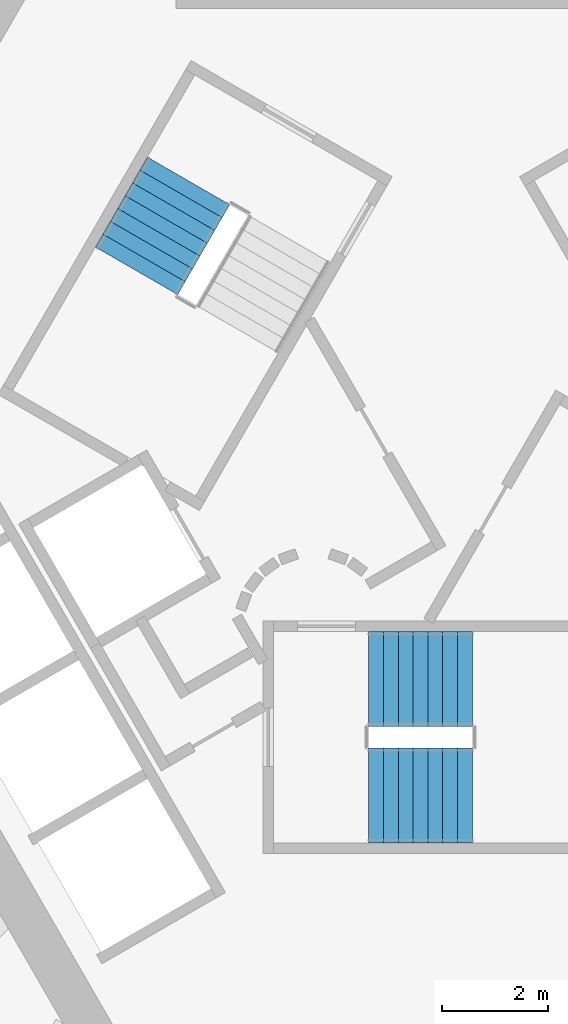
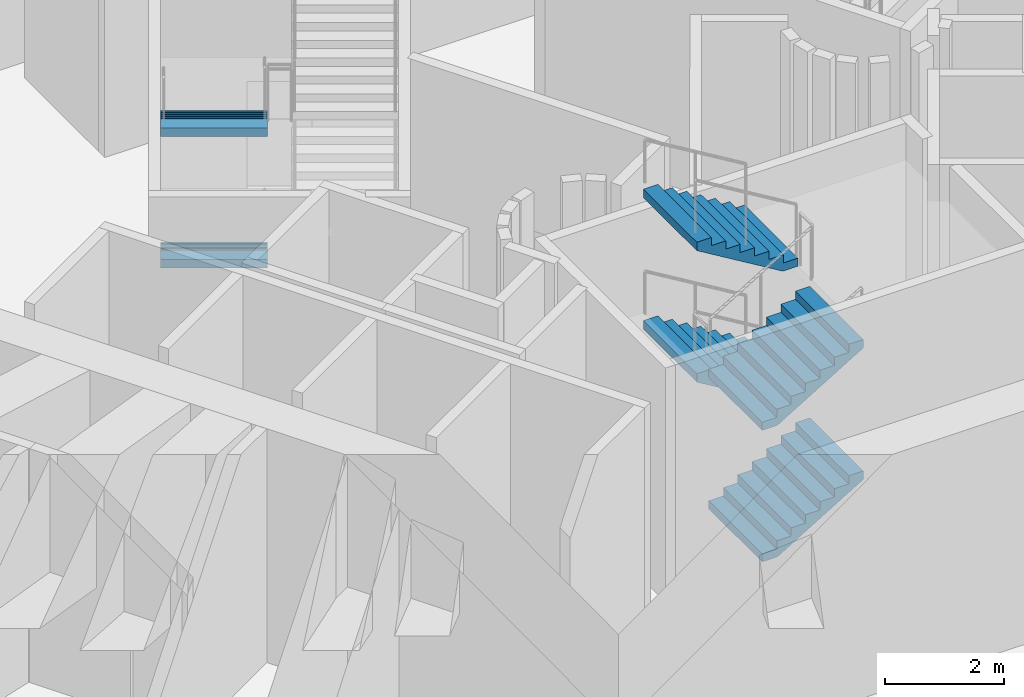
# One storey, part 14 of 22: 6 stair flights, 2 elements without a shape of their own.
"""IFC4 building model written with IfcOpenShell, lengths in metres."""

from ifc_helpers import new_model, si_unit, direction, frame, origin, place, context, subcontext, project, spatial, triangles, material, type_object, element, aggregate, save


model = new_model("IFC4")

# Units and contexts
model_context = context("Model", 3, precision=1e-05, world=origin(), true_north=direction((0.0, 1.0)))
body_context = subcontext(model_context, "Body", "Model", "MODEL_VIEW")
ifc_project = project(units=[si_unit("LENGTHUNIT", "METRE"), si_unit("AREAUNIT", "SQUARE_METRE"), si_unit("VOLUMEUNIT", "CUBIC_METRE"), si_unit("PLANEANGLEUNIT", "RADIAN"), si_unit("MASSUNIT", "GRAM", prefix="KILO")], contexts=[model_context])

# Site, building, storey
site_placement = place(None, origin())
site = spatial("IfcSite", under=ifc_project, at=site_placement, CompositionType="ELEMENT")
building_placement = place(site_placement, origin())
building = spatial("IfcBuilding", under=site, at=building_placement, Name="Entoto Arch Interchange Tower", CompositionType="ELEMENT")
storey_placement = place(building_placement, frame((0.0, 0.0, 132.800048828125)))
storey = spatial("IfcBuildingStorey", under=building, at=storey_placement, Name="L29", CompositionType="ELEMENT", Elevation=132.800048828125)

# Stair, stair flights
ifc_material = material(Name="Concrete C40/50", Category="concrete")
stair_type = type_object("IfcStairType", Name="EXIT STAIR RC 1800", PredefinedType="HALF_TURN_STAIR", material=ifc_material)
stair_1_placement = place(storey_placement, origin())
stair_1 = element("IfcStair", 1, at=stair_1_placement, inside=storey, type_object=stair_type, Name="L29 Exit stair S", PredefinedType="HALF_TURN_STAIR")
stair_flight_type = type_object("IfcStairFlightType", Name="EXIT STAIR FLIGHT RC 1800", PredefinedType="STRAIGHT", material=ifc_material)
stair_flight_1_placement = place(storey_placement, frame((-1.64990234375, -4.300048828125, 0.0), z_axis=(0.0, 0.0, 1.0), x_axis=(1.0, 0.0, 0.0)))
stair_flight_1 = element("IfcStairFlight", 2, at=stair_flight_1_placement, type_object=stair_flight_type, Name="ST-S flight 1", NumberOfRisers=8, NumberOfTreads=7, PredefinedType="STRAIGHT", RiserHeight=0.16875, TreadLength=0.28, context=body_context, shape_type="Tessellation", body=[
    triangles([(-0.003, -0.900024, 0.0), (-0.003, -0.900024, 0.16875), (0.28, -0.900024, 0.16875), (0.28, -0.900024, 0.3375), (0.56, -0.900024, 0.3375), (0.56, -0.900024, 0.50625), (0.84, -0.900024, 0.50625), (0.84, -0.900024, 0.675), (1.12, -0.900024, 0.675), (1.12, -0.900024, 0.84375), (1.4, -0.900024, 0.84375), (1.4, -0.900024, 1.0125), (1.68, -0.900024, 1.0125), (1.68, -0.900024, 1.18125), (1.96, -0.900024, 1.18125), (1.963, -0.900024, 1.18125), (1.963, -0.900024, 1.008036), (0.290406, -0.900024, 0.0), (-0.003, 0.900024, 0.0), (-0.003, 0.900024, 0.16875), (0.28, 0.900024, 0.16875), (0.28, 0.900024, 0.3375), (0.56, 0.900024, 0.3375), (0.56, 0.900024, 0.50625), (0.84, 0.900024, 0.50625), (0.84, 0.900024, 0.675), (1.12, 0.900024, 0.675), (1.12, 0.900024, 0.84375), (1.4, 0.900024, 0.84375), (1.4, 0.900024, 1.0125), (1.68, 0.900024, 1.0125), (1.68, 0.900024, 1.18125), (1.96, 0.900024, 1.18125), (1.963, 0.900024, 1.18125), (1.963, 0.900024, 1.008036), (0.290406, 0.900024, 0.0), (-0.003, -0.450012, 0.0), (-0.003, -0.450012, 0.16875), (-0.003, 0.0, 0.0), (-0.003, 0.0, 0.16875), (-0.003, 0.450012, 0.0), (-0.003, 0.450012, 0.16875), (0.28, -0.450012, 0.16875), (0.28, 0.0, 0.16875), (0.28, 0.450012, 0.16875), (0.28, -0.450012, 0.3375), (0.28, 0.0, 0.3375), (0.28, 0.450012, 0.3375), (0.56, -0.450012, 0.3375), (0.56, 0.0, 0.3375), (0.56, 0.450012, 0.3375), (0.56, -0.450012, 0.50625), (0.56, 0.0, 0.50625), (0.56, 0.450012, 0.50625), (0.84, -0.450012, 0.50625), (0.84, 0.0, 0.50625), (0.84, 0.450012, 0.50625), (0.84, -0.450012, 0.675), (0.84, 0.0, 0.675), (0.84, 0.450012, 0.675), (1.12, -0.450012, 0.675), (1.12, 0.0, 0.675), (1.12, 0.450012, 0.675), (1.12, -0.450012, 0.84375), (1.12, 0.0, 0.84375), (1.12, 0.450012, 0.84375), (1.4, -0.450012, 0.84375), (1.4, 0.0, 0.84375), (1.4, 0.450012, 0.84375), (1.4, -0.450012, 1.0125), (1.4, 0.0, 1.0125), (1.4, 0.450012, 1.0125), (1.68, -0.450012, 1.0125), (1.68, 0.0, 1.0125), (1.68, 0.450012, 1.0125), (1.68, -0.450012, 1.18125), (1.68, 0.0, 1.18125), (1.68, 0.450012, 1.18125), (1.96, -0.450012, 1.18125), (1.96, 0.0, 1.18125), (1.96, 0.450012, 1.18125), (1.963, -0.450012, 1.18125), (1.963, 0.0, 1.18125), (1.963, 0.450012, 1.18125), (1.963, -0.450012, 1.008036), (1.963, 0.0, 1.008036), (1.963, 0.450012, 1.008036), (0.290406, -0.450012, 0.0), (0.290406, 0.0, 0.0), (0.290406, 0.450012, 0.0)], [[1, 18, 17], [17, 16, 15], [17, 15, 14], [17, 14, 13], [17, 13, 12], [17, 12, 11], [11, 10, 9], [17, 11, 9], [9, 8, 7], [17, 9, 7], [7, 6, 5], [17, 7, 5], [5, 4, 3], [17, 5, 3], [1, 17, 3], [3, 2, 1], [19, 35, 36], [35, 33, 34], [35, 32, 33], [35, 31, 32], [35, 30, 31], [35, 29, 30], [29, 27, 28], [35, 27, 29], [27, 25, 26], [35, 25, 27], [25, 23, 24], [35, 23, 25], [23, 21, 22], [35, 21, 23], [19, 21, 35], [21, 19, 20], [1, 2, 38], [1, 38, 37], [37, 38, 40], [37, 40, 39], [39, 40, 42], [39, 42, 41], [41, 42, 20], [41, 20, 19], [2, 3, 43], [2, 43, 38], [38, 43, 44], [38, 44, 40], [40, 44, 45], [40, 45, 42], [42, 45, 21], [42, 21, 20], [3, 4, 46], [3, 46, 43], [43, 46, 47], [43, 47, 44], [44, 47, 48], [44, 48, 45], [45, 48, 22], [45, 22, 21], [4, 5, 49], [4, 49, 46], [46, 49, 50], [46, 50, 47], [47, 50, 51], [47, 51, 48], [48, 51, 23], [48, 23, 22], [5, 6, 52], [5, 52, 49], [49, 52, 53], [49, 53, 50], [50, 53, 54], [50, 54, 51], [51, 54, 24], [51, 24, 23], [6, 7, 55], [6, 55, 52], [52, 55, 56], [52, 56, 53], [53, 56, 57], [53, 57, 54], [54, 57, 25], [54, 25, 24], [7, 8, 58], [7, 58, 55], [55, 58, 59], [55, 59, 56], [56, 59, 60], [56, 60, 57], [57, 60, 26], [57, 26, 25], [8, 9, 61], [8, 61, 58], [58, 61, 62], [58, 62, 59], [59, 62, 63], [59, 63, 60], [60, 63, 27], [60, 27, 26], [9, 10, 64], [9, 64, 61], [61, 64, 65], [61, 65, 62], [62, 65, 66], [62, 66, 63], [63, 66, 28], [63, 28, 27], [10, 11, 67], [10, 67, 64], [64, 67, 68], [64, 68, 65], [65, 68, 69], [65, 69, 66], [66, 69, 29], [66, 29, 28], [11, 12, 70], [11, 70, 67], [67, 70, 71], [67, 71, 68], [68, 71, 72], [68, 72, 69], [69, 72, 30], [69, 30, 29], [12, 13, 73], [12, 73, 70], [70, 73, 74], [70, 74, 71], [71, 74, 75], [71, 75, 72], [72, 75, 31], [72, 31, 30], [13, 14, 76], [13, 76, 73], [73, 76, 77], [73, 77, 74], [74, 77, 78], [74, 78, 75], [75, 78, 32], [75, 32, 31], [14, 15, 79], [14, 79, 76], [76, 79, 80], [76, 80, 77], [77, 80, 81], [77, 81, 78], [78, 81, 33], [78, 33, 32], [15, 16, 82], [15, 82, 79], [79, 82, 83], [79, 83, 80], [80, 83, 84], [80, 84, 81], [81, 84, 34], [81, 34, 33], [16, 17, 85], [16, 85, 82], [82, 85, 86], [82, 86, 83], [83, 86, 87], [83, 87, 84], [84, 87, 35], [84, 35, 34], [17, 18, 88], [17, 88, 85], [85, 88, 89], [85, 89, 86], [86, 89, 90], [86, 90, 87], [87, 90, 36], [87, 36, 35], [18, 1, 37], [18, 37, 88], [88, 37, 39], [88, 39, 89], [89, 39, 41], [89, 41, 90], [90, 41, 19], [90, 19, 36]], closed=True),
])
stair_flight_2_placement = place(storey_placement, frame((0.31005859375, -2.10009765625, 1.349853515625), z_axis=(0.0, 0.0, 1.0), x_axis=(-1.0, 0.0, 0.0)))
stair_flight_2 = element("IfcStairFlight", 3, at=stair_flight_2_placement, type_object=stair_flight_type, Name="ST-S flight 2", NumberOfRisers=8, NumberOfTreads=7, PredefinedType="STRAIGHT", RiserHeight=0.16875, TreadLength=0.28, context=body_context, shape_type="Tessellation", body=[
    triangles([(-0.003, -0.900024, 0.0), (-0.003, -0.900024, 0.16875), (0.28, -0.900024, 0.16875), (0.28, -0.900024, 0.3375), (0.56, -0.900024, 0.3375), (0.56, -0.900024, 0.50625), (0.84, -0.900024, 0.50625), (0.84, -0.900024, 0.675), (1.12, -0.900024, 0.675), (1.12, -0.900024, 0.84375), (1.4, -0.900024, 0.84375), (1.4, -0.900024, 1.0125), (1.68, -0.900024, 1.0125), (1.68, -0.900024, 1.18125), (1.96, -0.900024, 1.18125), (1.963, -0.900024, 1.18125), (1.963, -0.900024, 1.008036), (0.290406, -0.900024, 0.0), (-0.003, 0.900024, 0.0), (-0.003, 0.900024, 0.16875), (0.28, 0.900024, 0.16875), (0.28, 0.900024, 0.3375), (0.56, 0.900024, 0.3375), (0.56, 0.900024, 0.50625), (0.84, 0.900024, 0.50625), (0.84, 0.900024, 0.675), (1.12, 0.900024, 0.675), (1.12, 0.900024, 0.84375), (1.4, 0.900024, 0.84375), (1.4, 0.900024, 1.0125), (1.68, 0.900024, 1.0125), (1.68, 0.900024, 1.18125), (1.96, 0.900024, 1.18125), (1.963, 0.900024, 1.18125), (1.963, 0.900024, 1.008036), (0.290406, 0.900024, 0.0), (-0.003, -0.450012, 0.0), (-0.003, -0.450012, 0.16875), (-0.003, 0.0, 0.0), (-0.003, 0.0, 0.16875), (-0.003, 0.450012, 0.0), (-0.003, 0.450012, 0.16875), (0.28, -0.450012, 0.16875), (0.28, 0.0, 0.16875), (0.28, 0.450012, 0.16875), (0.28, -0.450012, 0.3375), (0.28, 0.0, 0.3375), (0.28, 0.450012, 0.3375), (0.56, -0.450012, 0.3375), (0.56, 0.0, 0.3375), (0.56, 0.450012, 0.3375), (0.56, -0.450012, 0.50625), (0.56, 0.0, 0.50625), (0.56, 0.450012, 0.50625), (0.84, -0.450012, 0.50625), (0.84, 0.0, 0.50625), (0.84, 0.450012, 0.50625), (0.84, -0.450012, 0.675), (0.84, 0.0, 0.675), (0.84, 0.450012, 0.675), (1.12, -0.450012, 0.675), (1.12, 0.0, 0.675), (1.12, 0.450012, 0.675), (1.12, -0.450012, 0.84375), (1.12, 0.0, 0.84375), (1.12, 0.450012, 0.84375), (1.4, -0.450012, 0.84375), (1.4, 0.0, 0.84375), (1.4, 0.450012, 0.84375), (1.4, -0.450012, 1.0125), (1.4, 0.0, 1.0125), (1.4, 0.450012, 1.0125), (1.68, -0.450012, 1.0125), (1.68, 0.0, 1.0125), (1.68, 0.450012, 1.0125), (1.68, -0.450012, 1.18125), (1.68, 0.0, 1.18125), (1.68, 0.450012, 1.18125), (1.96, -0.450012, 1.18125), (1.96, 0.0, 1.18125), (1.96, 0.450012, 1.18125), (1.963, -0.450012, 1.18125), (1.963, 0.0, 1.18125), (1.963, 0.450012, 1.18125), (1.963, -0.450012, 1.008036), (1.963, 0.0, 1.008036), (1.963, 0.450012, 1.008036), (0.290406, -0.450012, 0.0), (0.290406, 0.0, 0.0), (0.290406, 0.450012, 0.0)], [[1, 18, 17], [17, 16, 15], [17, 15, 14], [17, 14, 13], [17, 13, 12], [17, 12, 11], [11, 10, 9], [17, 11, 9], [9, 8, 7], [17, 9, 7], [7, 6, 5], [17, 7, 5], [5, 4, 3], [17, 5, 3], [1, 17, 3], [3, 2, 1], [19, 35, 36], [35, 33, 34], [35, 32, 33], [35, 31, 32], [35, 30, 31], [35, 29, 30], [29, 27, 28], [35, 27, 29], [27, 25, 26], [35, 25, 27], [25, 23, 24], [35, 23, 25], [23, 21, 22], [35, 21, 23], [19, 21, 35], [21, 19, 20], [1, 2, 38], [1, 38, 37], [37, 38, 40], [37, 40, 39], [39, 40, 42], [39, 42, 41], [41, 42, 20], [41, 20, 19], [2, 3, 43], [2, 43, 38], [38, 43, 44], [38, 44, 40], [40, 44, 45], [40, 45, 42], [42, 45, 21], [42, 21, 20], [3, 4, 46], [3, 46, 43], [43, 46, 47], [43, 47, 44], [44, 47, 48], [44, 48, 45], [45, 48, 22], [45, 22, 21], [4, 5, 49], [4, 49, 46], [46, 49, 50], [46, 50, 47], [47, 50, 51], [47, 51, 48], [48, 51, 23], [48, 23, 22], [5, 6, 52], [5, 52, 49], [49, 52, 53], [49, 53, 50], [50, 53, 54], [50, 54, 51], [51, 54, 24], [51, 24, 23], [6, 7, 55], [6, 55, 52], [52, 55, 56], [52, 56, 53], [53, 56, 57], [53, 57, 54], [54, 57, 25], [54, 25, 24], [7, 8, 58], [7, 58, 55], [55, 58, 59], [55, 59, 56], [56, 59, 60], [56, 60, 57], [57, 60, 26], [57, 26, 25], [8, 9, 61], [8, 61, 58], [58, 61, 62], [58, 62, 59], [59, 62, 63], [59, 63, 60], [60, 63, 27], [60, 27, 26], [9, 10, 64], [9, 64, 61], [61, 64, 65], [61, 65, 62], [62, 65, 66], [62, 66, 63], [63, 66, 28], [63, 28, 27], [10, 11, 67], [10, 67, 64], [64, 67, 68], [64, 68, 65], [65, 68, 69], [65, 69, 66], [66, 69, 29], [66, 29, 28], [11, 12, 70], [11, 70, 67], [67, 70, 71], [67, 71, 68], [68, 71, 72], [68, 72, 69], [69, 72, 30], [69, 30, 29], [12, 13, 73], [12, 73, 70], [70, 73, 74], [70, 74, 71], [71, 74, 75], [71, 75, 72], [72, 75, 31], [72, 31, 30], [13, 14, 76], [13, 76, 73], [73, 76, 77], [73, 77, 74], [74, 77, 78], [74, 78, 75], [75, 78, 32], [75, 32, 31], [14, 15, 79], [14, 79, 76], [76, 79, 80], [76, 80, 77], [77, 80, 81], [77, 81, 78], [78, 81, 33], [78, 33, 32], [15, 16, 82], [15, 82, 79], [79, 82, 83], [79, 83, 80], [80, 83, 84], [80, 84, 81], [81, 84, 34], [81, 34, 33], [16, 17, 85], [16, 85, 82], [82, 85, 86], [82, 86, 83], [83, 86, 87], [83, 87, 84], [84, 87, 35], [84, 35, 34], [17, 18, 88], [17, 88, 85], [85, 88, 89], [85, 89, 86], [86, 89, 90], [86, 90, 87], [87, 90, 36], [87, 36, 35], [18, 1, 37], [18, 37, 88], [88, 37, 39], [88, 39, 89], [89, 39, 41], [89, 41, 90], [90, 41, 19], [90, 19, 36]], closed=True),
])
stair_flight_3_placement = place(storey_placement, frame((-1.64990234375, -4.300048828125, 2.699951171875), z_axis=(0.0, 0.0, 1.0), x_axis=(1.0, 0.0, 0.0)))
stair_flight_3 = element("IfcStairFlight", 4, at=stair_flight_3_placement, type_object=stair_flight_type, Name="ST-S flight 3", NumberOfRisers=8, NumberOfTreads=7, PredefinedType="STRAIGHT", RiserHeight=0.16875, TreadLength=0.28, context=body_context, shape_type="Tessellation", body=[
    triangles([(-0.003, -0.900024, 0.0), (-0.003, -0.900024, 0.16875), (0.28, -0.900024, 0.16875), (0.28, -0.900024, 0.3375), (0.56, -0.900024, 0.3375), (0.56, -0.900024, 0.50625), (0.84, -0.900024, 0.50625), (0.84, -0.900024, 0.675), (1.12, -0.900024, 0.675), (1.12, -0.900024, 0.84375), (1.4, -0.900024, 0.84375), (1.4, -0.900024, 1.0125), (1.68, -0.900024, 1.0125), (1.68, -0.900024, 1.18125), (1.96, -0.900024, 1.18125), (1.963, -0.900024, 1.18125), (1.963, -0.900024, 1.008036), (0.290406, -0.900024, 0.0), (-0.003, 0.900024, 0.0), (-0.003, 0.900024, 0.16875), (0.28, 0.900024, 0.16875), (0.28, 0.900024, 0.3375), (0.56, 0.900024, 0.3375), (0.56, 0.900024, 0.50625), (0.84, 0.900024, 0.50625), (0.84, 0.900024, 0.675), (1.12, 0.900024, 0.675), (1.12, 0.900024, 0.84375), (1.4, 0.900024, 0.84375), (1.4, 0.900024, 1.0125), (1.68, 0.900024, 1.0125), (1.68, 0.900024, 1.18125), (1.96, 0.900024, 1.18125), (1.963, 0.900024, 1.18125), (1.963, 0.900024, 1.008036), (0.290406, 0.900024, 0.0), (-0.003, -0.450012, 0.0), (-0.003, -0.450012, 0.16875), (-0.003, 0.0, 0.0), (-0.003, 0.0, 0.16875), (-0.003, 0.450012, 0.0), (-0.003, 0.450012, 0.16875), (0.28, -0.450012, 0.16875), (0.28, 0.0, 0.16875), (0.28, 0.450012, 0.16875), (0.28, -0.450012, 0.3375), (0.28, 0.0, 0.3375), (0.28, 0.450012, 0.3375), (0.56, -0.450012, 0.3375), (0.56, 0.0, 0.3375), (0.56, 0.450012, 0.3375), (0.56, -0.450012, 0.50625), (0.56, 0.0, 0.50625), (0.56, 0.450012, 0.50625), (0.84, -0.450012, 0.50625), (0.84, 0.0, 0.50625), (0.84, 0.450012, 0.50625), (0.84, -0.450012, 0.675), (0.84, 0.0, 0.675), (0.84, 0.450012, 0.675), (1.12, -0.450012, 0.675), (1.12, 0.0, 0.675), (1.12, 0.450012, 0.675), (1.12, -0.450012, 0.84375), (1.12, 0.0, 0.84375), (1.12, 0.450012, 0.84375), (1.4, -0.450012, 0.84375), (1.4, 0.0, 0.84375), (1.4, 0.450012, 0.84375), (1.4, -0.450012, 1.0125), (1.4, 0.0, 1.0125), (1.4, 0.450012, 1.0125), (1.68, -0.450012, 1.0125), (1.68, 0.0, 1.0125), (1.68, 0.450012, 1.0125), (1.68, -0.450012, 1.18125), (1.68, 0.0, 1.18125), (1.68, 0.450012, 1.18125), (1.96, -0.450012, 1.18125), (1.96, 0.0, 1.18125), (1.96, 0.450012, 1.18125), (1.963, -0.450012, 1.18125), (1.963, 0.0, 1.18125), (1.963, 0.450012, 1.18125), (1.963, -0.450012, 1.008036), (1.963, 0.0, 1.008036), (1.963, 0.450012, 1.008036), (0.290406, -0.450012, 0.0), (0.290406, 0.0, 0.0), (0.290406, 0.450012, 0.0)], [[1, 18, 17], [17, 16, 15], [17, 15, 14], [17, 14, 13], [17, 13, 12], [17, 12, 11], [11, 10, 9], [17, 11, 9], [9, 8, 7], [17, 9, 7], [7, 6, 5], [17, 7, 5], [5, 4, 3], [17, 5, 3], [1, 17, 3], [3, 2, 1], [19, 35, 36], [35, 33, 34], [35, 32, 33], [35, 31, 32], [35, 30, 31], [35, 29, 30], [29, 27, 28], [35, 27, 29], [27, 25, 26], [35, 25, 27], [25, 23, 24], [35, 23, 25], [23, 21, 22], [35, 21, 23], [19, 21, 35], [21, 19, 20], [1, 2, 38], [1, 38, 37], [37, 38, 40], [37, 40, 39], [39, 40, 42], [39, 42, 41], [41, 42, 20], [41, 20, 19], [2, 3, 43], [2, 43, 38], [38, 43, 44], [38, 44, 40], [40, 44, 45], [40, 45, 42], [42, 45, 21], [42, 21, 20], [3, 4, 46], [3, 46, 43], [43, 46, 47], [43, 47, 44], [44, 47, 48], [44, 48, 45], [45, 48, 22], [45, 22, 21], [4, 5, 49], [4, 49, 46], [46, 49, 50], [46, 50, 47], [47, 50, 51], [47, 51, 48], [48, 51, 23], [48, 23, 22], [5, 6, 52], [5, 52, 49], [49, 52, 53], [49, 53, 50], [50, 53, 54], [50, 54, 51], [51, 54, 24], [51, 24, 23], [6, 7, 55], [6, 55, 52], [52, 55, 56], [52, 56, 53], [53, 56, 57], [53, 57, 54], [54, 57, 25], [54, 25, 24], [7, 8, 58], [7, 58, 55], [55, 58, 59], [55, 59, 56], [56, 59, 60], [56, 60, 57], [57, 60, 26], [57, 26, 25], [8, 9, 61], [8, 61, 58], [58, 61, 62], [58, 62, 59], [59, 62, 63], [59, 63, 60], [60, 63, 27], [60, 27, 26], [9, 10, 64], [9, 64, 61], [61, 64, 65], [61, 65, 62], [62, 65, 66], [62, 66, 63], [63, 66, 28], [63, 28, 27], [10, 11, 67], [10, 67, 64], [64, 67, 68], [64, 68, 65], [65, 68, 69], [65, 69, 66], [66, 69, 29], [66, 29, 28], [11, 12, 70], [11, 70, 67], [67, 70, 71], [67, 71, 68], [68, 71, 72], [68, 72, 69], [69, 72, 30], [69, 30, 29], [12, 13, 73], [12, 73, 70], [70, 73, 74], [70, 74, 71], [71, 74, 75], [71, 75, 72], [72, 75, 31], [72, 31, 30], [13, 14, 76], [13, 76, 73], [73, 76, 77], [73, 77, 74], [74, 77, 78], [74, 78, 75], [75, 78, 32], [75, 32, 31], [14, 15, 79], [14, 79, 76], [76, 79, 80], [76, 80, 77], [77, 80, 81], [77, 81, 78], [78, 81, 33], [78, 33, 32], [15, 16, 82], [15, 82, 79], [79, 82, 83], [79, 83, 80], [80, 83, 84], [80, 84, 81], [81, 84, 34], [81, 34, 33], [16, 17, 85], [16, 85, 82], [82, 85, 86], [82, 86, 83], [83, 86, 87], [83, 87, 84], [84, 87, 35], [84, 35, 34], [17, 18, 88], [17, 88, 85], [85, 88, 89], [85, 89, 86], [86, 89, 90], [86, 90, 87], [87, 90, 36], [87, 36, 35], [18, 1, 37], [18, 37, 88], [88, 37, 39], [88, 39, 89], [89, 39, 41], [89, 41, 90], [90, 41, 19], [90, 19, 36]], closed=True),
])
stair_flight_4_placement = place(storey_placement, frame((0.31005859375, -2.10009765625, 4.050048828125), z_axis=(0.0, 0.0, 1.0), x_axis=(-1.0, 0.0, 0.0)))
stair_flight_4 = element("IfcStairFlight", 5, at=stair_flight_4_placement, type_object=stair_flight_type, Name="ST-S flight 4", NumberOfRisers=8, NumberOfTreads=7, PredefinedType="STRAIGHT", RiserHeight=0.16875, TreadLength=0.28, context=body_context, shape_type="Tessellation", body=[
    triangles([(-0.003, -0.900024, 0.0), (-0.003, -0.900024, 0.16875), (0.28, -0.900024, 0.16875), (0.28, -0.900024, 0.3375), (0.56, -0.900024, 0.3375), (0.56, -0.900024, 0.50625), (0.84, -0.900024, 0.50625), (0.84, -0.900024, 0.675), (1.12, -0.900024, 0.675), (1.12, -0.900024, 0.84375), (1.4, -0.900024, 0.84375), (1.4, -0.900024, 1.0125), (1.68, -0.900024, 1.0125), (1.68, -0.900024, 1.18125), (1.96, -0.900024, 1.18125), (1.963, -0.900024, 1.18125), (1.963, -0.900024, 1.008036), (0.290406, -0.900024, 0.0), (-0.003, 0.900024, 0.0), (-0.003, 0.900024, 0.16875), (0.28, 0.900024, 0.16875), (0.28, 0.900024, 0.3375), (0.56, 0.900024, 0.3375), (0.56, 0.900024, 0.50625), (0.84, 0.900024, 0.50625), (0.84, 0.900024, 0.675), (1.12, 0.900024, 0.675), (1.12, 0.900024, 0.84375), (1.4, 0.900024, 0.84375), (1.4, 0.900024, 1.0125), (1.68, 0.900024, 1.0125), (1.68, 0.900024, 1.18125), (1.96, 0.900024, 1.18125), (1.963, 0.900024, 1.18125), (1.963, 0.900024, 1.008036), (0.290406, 0.900024, 0.0), (-0.003, -0.450012, 0.0), (-0.003, -0.450012, 0.16875), (-0.003, 0.0, 0.0), (-0.003, 0.0, 0.16875), (-0.003, 0.450012, 0.0), (-0.003, 0.450012, 0.16875), (0.28, -0.450012, 0.16875), (0.28, 0.0, 0.16875), (0.28, 0.450012, 0.16875), (0.28, -0.450012, 0.3375), (0.28, 0.0, 0.3375), (0.28, 0.450012, 0.3375), (0.56, -0.450012, 0.3375), (0.56, 0.0, 0.3375), (0.56, 0.450012, 0.3375), (0.56, -0.450012, 0.50625), (0.56, 0.0, 0.50625), (0.56, 0.450012, 0.50625), (0.84, -0.450012, 0.50625), (0.84, 0.0, 0.50625), (0.84, 0.450012, 0.50625), (0.84, -0.450012, 0.675), (0.84, 0.0, 0.675), (0.84, 0.450012, 0.675), (1.12, -0.450012, 0.675), (1.12, 0.0, 0.675), (1.12, 0.450012, 0.675), (1.12, -0.450012, 0.84375), (1.12, 0.0, 0.84375), (1.12, 0.450012, 0.84375), (1.4, -0.450012, 0.84375), (1.4, 0.0, 0.84375), (1.4, 0.450012, 0.84375), (1.4, -0.450012, 1.0125), (1.4, 0.0, 1.0125), (1.4, 0.450012, 1.0125), (1.68, -0.450012, 1.0125), (1.68, 0.0, 1.0125), (1.68, 0.450012, 1.0125), (1.68, -0.450012, 1.18125), (1.68, 0.0, 1.18125), (1.68, 0.450012, 1.18125), (1.96, -0.450012, 1.18125), (1.96, 0.0, 1.18125), (1.96, 0.450012, 1.18125), (1.963, -0.450012, 1.18125), (1.963, 0.0, 1.18125), (1.963, 0.450012, 1.18125), (1.963, -0.450012, 1.008036), (1.963, 0.0, 1.008036), (1.963, 0.450012, 1.008036), (0.290406, -0.450012, 0.0), (0.290406, 0.0, 0.0), (0.290406, 0.450012, 0.0)], [[1, 18, 17], [17, 16, 15], [17, 15, 14], [17, 14, 13], [17, 13, 12], [17, 12, 11], [11, 10, 9], [17, 11, 9], [9, 8, 7], [17, 9, 7], [7, 6, 5], [17, 7, 5], [5, 4, 3], [17, 5, 3], [1, 17, 3], [3, 2, 1], [19, 35, 36], [35, 33, 34], [35, 32, 33], [35, 31, 32], [35, 30, 31], [35, 29, 30], [29, 27, 28], [35, 27, 29], [27, 25, 26], [35, 25, 27], [25, 23, 24], [35, 23, 25], [23, 21, 22], [35, 21, 23], [19, 21, 35], [21, 19, 20], [1, 2, 38], [1, 38, 37], [37, 38, 40], [37, 40, 39], [39, 40, 42], [39, 42, 41], [41, 42, 20], [41, 20, 19], [2, 3, 43], [2, 43, 38], [38, 43, 44], [38, 44, 40], [40, 44, 45], [40, 45, 42], [42, 45, 21], [42, 21, 20], [3, 4, 46], [3, 46, 43], [43, 46, 47], [43, 47, 44], [44, 47, 48], [44, 48, 45], [45, 48, 22], [45, 22, 21], [4, 5, 49], [4, 49, 46], [46, 49, 50], [46, 50, 47], [47, 50, 51], [47, 51, 48], [48, 51, 23], [48, 23, 22], [5, 6, 52], [5, 52, 49], [49, 52, 53], [49, 53, 50], [50, 53, 54], [50, 54, 51], [51, 54, 24], [51, 24, 23], [6, 7, 55], [6, 55, 52], [52, 55, 56], [52, 56, 53], [53, 56, 57], [53, 57, 54], [54, 57, 25], [54, 25, 24], [7, 8, 58], [7, 58, 55], [55, 58, 59], [55, 59, 56], [56, 59, 60], [56, 60, 57], [57, 60, 26], [57, 26, 25], [8, 9, 61], [8, 61, 58], [58, 61, 62], [58, 62, 59], [59, 62, 63], [59, 63, 60], [60, 63, 27], [60, 27, 26], [9, 10, 64], [9, 64, 61], [61, 64, 65], [61, 65, 62], [62, 65, 66], [62, 66, 63], [63, 66, 28], [63, 28, 27], [10, 11, 67], [10, 67, 64], [64, 67, 68], [64, 68, 65], [65, 68, 69], [65, 69, 66], [66, 69, 29], [66, 29, 28], [11, 12, 70], [11, 70, 67], [67, 70, 71], [67, 71, 68], [68, 71, 72], [68, 72, 69], [69, 72, 30], [69, 30, 29], [12, 13, 73], [12, 73, 70], [70, 73, 74], [70, 74, 71], [71, 74, 75], [71, 75, 72], [72, 75, 31], [72, 31, 30], [13, 14, 76], [13, 76, 73], [73, 76, 77], [73, 77, 74], [74, 77, 78], [74, 78, 75], [75, 78, 32], [75, 32, 31], [14, 15, 79], [14, 79, 76], [76, 79, 80], [76, 80, 77], [77, 80, 81], [77, 81, 78], [78, 81, 33], [78, 33, 32], [15, 16, 82], [15, 82, 79], [79, 82, 83], [79, 83, 80], [80, 83, 84], [80, 84, 81], [81, 84, 34], [81, 34, 33], [16, 17, 85], [16, 85, 82], [82, 85, 86], [82, 86, 83], [83, 86, 87], [83, 87, 84], [84, 87, 35], [84, 35, 34], [17, 18, 88], [17, 88, 85], [85, 88, 89], [85, 89, 86], [86, 89, 90], [86, 90, 87], [87, 90, 36], [87, 36, 35], [18, 1, 37], [18, 37, 88], [88, 37, 39], [88, 39, 89], [89, 39, 41], [89, 41, 90], [90, 41, 19], [90, 19, 36]], closed=True),
])
aggregate(stair_1, [stair_flight_1, stair_flight_2, stair_flight_3, stair_flight_4])

stair_2_placement = place(storey_placement, origin())
stair_2 = element("IfcStair", 6, at=stair_2_placement, inside=storey, type_object=stair_type, Name="L29 Exit stair NW", PredefinedType="HALF_TURN_STAIR")
stair_flight_5_placement = place(storey_placement, frame((-5.06396484375, 7.328857421875, 0.0), z_axis=(0.0, 0.0, 1.0), x_axis=(-0.5, -0.866025403784, 0.0)))
stair_flight_5 = element("IfcStairFlight", 7, at=stair_flight_5_placement, type_object=stair_flight_type, Name="ST-NW flight 1", NumberOfRisers=8, NumberOfTreads=7, PredefinedType="STRAIGHT", RiserHeight=0.16875, TreadLength=0.28, context=body_context, shape_type="Tessellation", body=[
    triangles([(-0.003, -0.900024, 0.0), (-0.003, -0.900024, 0.16875), (0.28, -0.900024, 0.16875), (0.28, -0.900024, 0.3375), (0.56, -0.900024, 0.3375), (0.56, -0.900024, 0.50625), (0.84, -0.900024, 0.50625), (0.84, -0.900024, 0.675), (1.12, -0.900024, 0.675), (1.12, -0.900024, 0.84375), (1.4, -0.900024, 0.84375), (1.4, -0.900024, 1.0125), (1.68, -0.900024, 1.0125), (1.68, -0.900024, 1.18125), (1.96, -0.900024, 1.18125), (1.963, -0.900024, 1.18125), (1.963, -0.900024, 1.008036), (0.290406, -0.900024, 0.0), (-0.003, 0.900024, 0.0), (-0.003, 0.900024, 0.16875), (0.28, 0.900024, 0.16875), (0.28, 0.900024, 0.3375), (0.56, 0.900024, 0.3375), (0.56, 0.900024, 0.50625), (0.84, 0.900024, 0.50625), (0.84, 0.900024, 0.675), (1.12, 0.900024, 0.675), (1.12, 0.900024, 0.84375), (1.4, 0.900024, 0.84375), (1.4, 0.900024, 1.0125), (1.68, 0.900024, 1.0125), (1.68, 0.900024, 1.18125), (1.96, 0.900024, 1.18125), (1.963, 0.900024, 1.18125), (1.963, 0.900024, 1.008036), (0.290406, 0.900024, 0.0), (-0.003, -0.450012, 0.0), (-0.003, -0.450012, 0.16875), (-0.003, 0.0, 0.0), (-0.003, 0.0, 0.16875), (-0.003, 0.450012, 0.0), (-0.003, 0.450012, 0.16875), (0.28, -0.450012, 0.16875), (0.28, 0.0, 0.16875), (0.28, 0.450012, 0.16875), (0.28, -0.450012, 0.3375), (0.28, 0.0, 0.3375), (0.28, 0.450012, 0.3375), (0.56, -0.450012, 0.3375), (0.56, 0.0, 0.3375), (0.56, 0.450012, 0.3375), (0.56, -0.450012, 0.50625), (0.56, 0.0, 0.50625), (0.56, 0.450012, 0.50625), (0.84, -0.450012, 0.50625), (0.84, 0.0, 0.50625), (0.84, 0.450012, 0.50625), (0.84, -0.450012, 0.675), (0.84, 0.0, 0.675), (0.84, 0.450012, 0.675), (1.12, -0.450012, 0.675), (1.12, 0.0, 0.675), (1.12, 0.450012, 0.675), (1.12, -0.450012, 0.84375), (1.12, 0.0, 0.84375), (1.12, 0.450012, 0.84375), (1.4, -0.450012, 0.84375), (1.4, 0.0, 0.84375), (1.4, 0.450012, 0.84375), (1.4, -0.450012, 1.0125), (1.4, 0.0, 1.0125), (1.4, 0.450012, 1.0125), (1.68, -0.450012, 1.0125), (1.68, 0.0, 1.0125), (1.68, 0.450012, 1.0125), (1.68, -0.450012, 1.18125), (1.68, 0.0, 1.18125), (1.68, 0.450012, 1.18125), (1.96, -0.450012, 1.18125), (1.96, 0.0, 1.18125), (1.96, 0.450012, 1.18125), (1.963, -0.450012, 1.18125), (1.963, 0.0, 1.18125), (1.963, 0.450012, 1.18125), (1.963, -0.450012, 1.008036), (1.963, 0.0, 1.008036), (1.963, 0.450012, 1.008036), (0.290406, -0.450012, 0.0), (0.290406, 0.0, 0.0), (0.290406, 0.450012, 0.0)], [[1, 18, 17], [17, 16, 15], [17, 15, 14], [17, 14, 13], [17, 13, 12], [17, 12, 11], [11, 10, 9], [17, 11, 9], [9, 8, 7], [17, 9, 7], [7, 6, 5], [17, 7, 5], [5, 4, 3], [17, 5, 3], [1, 17, 3], [3, 2, 1], [19, 35, 36], [35, 33, 34], [35, 32, 33], [35, 31, 32], [35, 30, 31], [35, 29, 30], [29, 27, 28], [35, 27, 29], [27, 25, 26], [35, 25, 27], [25, 23, 24], [35, 23, 25], [23, 21, 22], [35, 21, 23], [19, 21, 35], [21, 19, 20], [1, 2, 38], [1, 38, 37], [37, 38, 40], [37, 40, 39], [39, 40, 42], [39, 42, 41], [41, 42, 20], [41, 20, 19], [2, 3, 43], [2, 43, 38], [38, 43, 44], [38, 44, 40], [40, 44, 45], [40, 45, 42], [42, 45, 21], [42, 21, 20], [3, 4, 46], [3, 46, 43], [43, 46, 47], [43, 47, 44], [44, 47, 48], [44, 48, 45], [45, 48, 22], [45, 22, 21], [4, 5, 49], [4, 49, 46], [46, 49, 50], [46, 50, 47], [47, 50, 51], [47, 51, 48], [48, 51, 23], [48, 23, 22], [5, 6, 52], [5, 52, 49], [49, 52, 53], [49, 53, 50], [50, 53, 54], [50, 54, 51], [51, 54, 24], [51, 24, 23], [6, 7, 55], [6, 55, 52], [52, 55, 56], [52, 56, 53], [53, 56, 57], [53, 57, 54], [54, 57, 25], [54, 25, 24], [7, 8, 58], [7, 58, 55], [55, 58, 59], [55, 59, 56], [56, 59, 60], [56, 60, 57], [57, 60, 26], [57, 26, 25], [8, 9, 61], [8, 61, 58], [58, 61, 62], [58, 62, 59], [59, 62, 63], [59, 63, 60], [60, 63, 27], [60, 27, 26], [9, 10, 64], [9, 64, 61], [61, 64, 65], [61, 65, 62], [62, 65, 66], [62, 66, 63], [63, 66, 28], [63, 28, 27], [10, 11, 67], [10, 67, 64], [64, 67, 68], [64, 68, 65], [65, 68, 69], [65, 69, 66], [66, 69, 29], [66, 29, 28], [11, 12, 70], [11, 70, 67], [67, 70, 71], [67, 71, 68], [68, 71, 72], [68, 72, 69], [69, 72, 30], [69, 30, 29], [12, 13, 73], [12, 73, 70], [70, 73, 74], [70, 74, 71], [71, 74, 75], [71, 75, 72], [72, 75, 31], [72, 31, 30], [13, 14, 76], [13, 76, 73], [73, 76, 77], [73, 77, 74], [74, 77, 78], [74, 78, 75], [75, 78, 32], [75, 32, 31], [14, 15, 79], [14, 79, 76], [76, 79, 80], [76, 80, 77], [77, 80, 81], [77, 81, 78], [78, 81, 33], [78, 33, 32], [15, 16, 82], [15, 82, 79], [79, 82, 83], [79, 83, 80], [80, 83, 84], [80, 84, 81], [81, 84, 34], [81, 34, 33], [16, 17, 85], [16, 85, 82], [82, 85, 86], [82, 86, 83], [83, 86, 87], [83, 87, 84], [84, 87, 35], [84, 35, 34], [17, 18, 88], [17, 88, 85], [85, 88, 89], [85, 89, 86], [86, 89, 90], [86, 90, 87], [87, 90, 36], [87, 36, 35], [18, 1, 37], [18, 37, 88], [88, 37, 39], [88, 39, 89], [89, 39, 41], [89, 41, 90], [90, 41, 19], [90, 19, 36]], closed=True),
])
stair_flight_6_placement = place(storey_placement, frame((-5.06396484375, 7.328857421875, 2.699951171875), z_axis=(0.0, 0.0, 1.0), x_axis=(-0.5, -0.866025403784, 0.0)))
stair_flight_6 = element("IfcStairFlight", 8, at=stair_flight_6_placement, type_object=stair_flight_type, Name="ST-NW flight 3", NumberOfRisers=8, NumberOfTreads=7, PredefinedType="STRAIGHT", RiserHeight=0.16875, TreadLength=0.28, context=body_context, shape_type="Tessellation", body=[
    triangles([(-0.003, -0.900024, 0.0), (-0.003, -0.900024, 0.16875), (0.28, -0.900024, 0.16875), (0.28, -0.900024, 0.3375), (0.56, -0.900024, 0.3375), (0.56, -0.900024, 0.50625), (0.84, -0.900024, 0.50625), (0.84, -0.900024, 0.675), (1.12, -0.900024, 0.675), (1.12, -0.900024, 0.84375), (1.4, -0.900024, 0.84375), (1.4, -0.900024, 1.0125), (1.68, -0.900024, 1.0125), (1.68, -0.900024, 1.18125), (1.96, -0.900024, 1.18125), (1.963, -0.900024, 1.18125), (1.963, -0.900024, 1.008036), (0.290406, -0.900024, 0.0), (-0.003, 0.900024, 0.0), (-0.003, 0.900024, 0.16875), (0.28, 0.900024, 0.16875), (0.28, 0.900024, 0.3375), (0.56, 0.900024, 0.3375), (0.56, 0.900024, 0.50625), (0.84, 0.900024, 0.50625), (0.84, 0.900024, 0.675), (1.12, 0.900024, 0.675), (1.12, 0.900024, 0.84375), (1.4, 0.900024, 0.84375), (1.4, 0.900024, 1.0125), (1.68, 0.900024, 1.0125), (1.68, 0.900024, 1.18125), (1.96, 0.900024, 1.18125), (1.963, 0.900024, 1.18125), (1.963, 0.900024, 1.008036), (0.290406, 0.900024, 0.0), (-0.003, -0.450012, 0.0), (-0.003, -0.450012, 0.16875), (-0.003, 0.0, 0.0), (-0.003, 0.0, 0.16875), (-0.003, 0.450012, 0.0), (-0.003, 0.450012, 0.16875), (0.28, -0.450012, 0.16875), (0.28, 0.0, 0.16875), (0.28, 0.450012, 0.16875), (0.28, -0.450012, 0.3375), (0.28, 0.0, 0.3375), (0.28, 0.450012, 0.3375), (0.56, -0.450012, 0.3375), (0.56, 0.0, 0.3375), (0.56, 0.450012, 0.3375), (0.56, -0.450012, 0.50625), (0.56, 0.0, 0.50625), (0.56, 0.450012, 0.50625), (0.84, -0.450012, 0.50625), (0.84, 0.0, 0.50625), (0.84, 0.450012, 0.50625), (0.84, -0.450012, 0.675), (0.84, 0.0, 0.675), (0.84, 0.450012, 0.675), (1.12, -0.450012, 0.675), (1.12, 0.0, 0.675), (1.12, 0.450012, 0.675), (1.12, -0.450012, 0.84375), (1.12, 0.0, 0.84375), (1.12, 0.450012, 0.84375), (1.4, -0.450012, 0.84375), (1.4, 0.0, 0.84375), (1.4, 0.450012, 0.84375), (1.4, -0.450012, 1.0125), (1.4, 0.0, 1.0125), (1.4, 0.450012, 1.0125), (1.68, -0.450012, 1.0125), (1.68, 0.0, 1.0125), (1.68, 0.450012, 1.0125), (1.68, -0.450012, 1.18125), (1.68, 0.0, 1.18125), (1.68, 0.450012, 1.18125), (1.96, -0.450012, 1.18125), (1.96, 0.0, 1.18125), (1.96, 0.450012, 1.18125), (1.963, -0.450012, 1.18125), (1.963, 0.0, 1.18125), (1.963, 0.450012, 1.18125), (1.963, -0.450012, 1.008036), (1.963, 0.0, 1.008036), (1.963, 0.450012, 1.008036), (0.290406, -0.450012, 0.0), (0.290406, 0.0, 0.0), (0.290406, 0.450012, 0.0)], [[1, 18, 17], [17, 16, 15], [17, 15, 14], [17, 14, 13], [17, 13, 12], [17, 12, 11], [11, 10, 9], [17, 11, 9], [9, 8, 7], [17, 9, 7], [7, 6, 5], [17, 7, 5], [5, 4, 3], [17, 5, 3], [1, 17, 3], [3, 2, 1], [19, 35, 36], [35, 33, 34], [35, 32, 33], [35, 31, 32], [35, 30, 31], [35, 29, 30], [29, 27, 28], [35, 27, 29], [27, 25, 26], [35, 25, 27], [25, 23, 24], [35, 23, 25], [23, 21, 22], [35, 21, 23], [19, 21, 35], [21, 19, 20], [1, 2, 38], [1, 38, 37], [37, 38, 40], [37, 40, 39], [39, 40, 42], [39, 42, 41], [41, 42, 20], [41, 20, 19], [2, 3, 43], [2, 43, 38], [38, 43, 44], [38, 44, 40], [40, 44, 45], [40, 45, 42], [42, 45, 21], [42, 21, 20], [3, 4, 46], [3, 46, 43], [43, 46, 47], [43, 47, 44], [44, 47, 48], [44, 48, 45], [45, 48, 22], [45, 22, 21], [4, 5, 49], [4, 49, 46], [46, 49, 50], [46, 50, 47], [47, 50, 51], [47, 51, 48], [48, 51, 23], [48, 23, 22], [5, 6, 52], [5, 52, 49], [49, 52, 53], [49, 53, 50], [50, 53, 54], [50, 54, 51], [51, 54, 24], [51, 24, 23], [6, 7, 55], [6, 55, 52], [52, 55, 56], [52, 56, 53], [53, 56, 57], [53, 57, 54], [54, 57, 25], [54, 25, 24], [7, 8, 58], [7, 58, 55], [55, 58, 59], [55, 59, 56], [56, 59, 60], [56, 60, 57], [57, 60, 26], [57, 26, 25], [8, 9, 61], [8, 61, 58], [58, 61, 62], [58, 62, 59], [59, 62, 63], [59, 63, 60], [60, 63, 27], [60, 27, 26], [9, 10, 64], [9, 64, 61], [61, 64, 65], [61, 65, 62], [62, 65, 66], [62, 66, 63], [63, 66, 28], [63, 28, 27], [10, 11, 67], [10, 67, 64], [64, 67, 68], [64, 68, 65], [65, 68, 69], [65, 69, 66], [66, 69, 29], [66, 29, 28], [11, 12, 70], [11, 70, 67], [67, 70, 71], [67, 71, 68], [68, 71, 72], [68, 72, 69], [69, 72, 30], [69, 30, 29], [12, 13, 73], [12, 73, 70], [70, 73, 74], [70, 74, 71], [71, 74, 75], [71, 75, 72], [72, 75, 31], [72, 31, 30], [13, 14, 76], [13, 76, 73], [73, 76, 77], [73, 77, 74], [74, 77, 78], [74, 78, 75], [75, 78, 32], [75, 32, 31], [14, 15, 79], [14, 79, 76], [76, 79, 80], [76, 80, 77], [77, 80, 81], [77, 81, 78], [78, 81, 33], [78, 33, 32], [15, 16, 82], [15, 82, 79], [79, 82, 83], [79, 83, 80], [80, 83, 84], [80, 84, 81], [81, 84, 34], [81, 34, 33], [16, 17, 85], [16, 85, 82], [82, 85, 86], [82, 86, 83], [83, 86, 87], [83, 87, 84], [84, 87, 35], [84, 35, 34], [17, 18, 88], [17, 88, 85], [85, 88, 89], [85, 89, 86], [86, 89, 90], [86, 90, 87], [87, 90, 36], [87, 36, 35], [18, 1, 37], [18, 37, 88], [88, 37, 39], [88, 39, 89], [89, 39, 41], [89, 41, 90], [90, 41, 19], [90, 19, 36]], closed=True),
])
aggregate(stair_2, [stair_flight_5, stair_flight_6])

save(model, "model.ifc")
